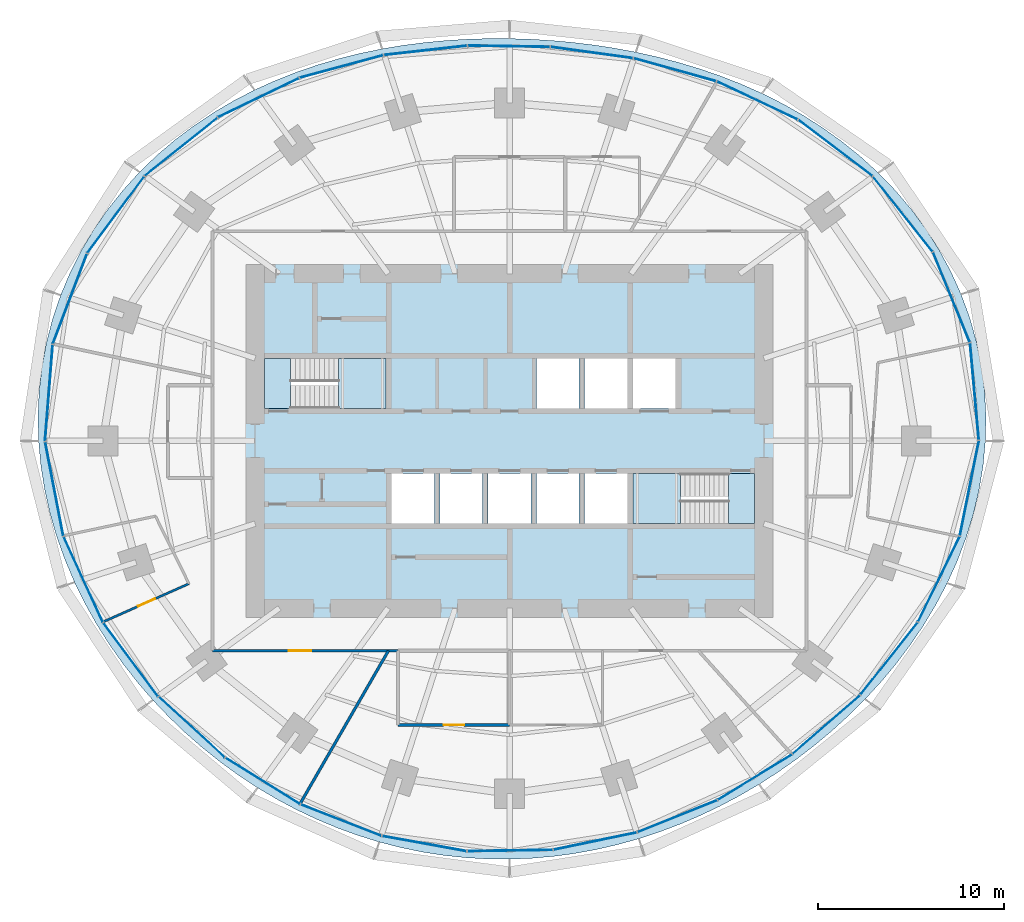
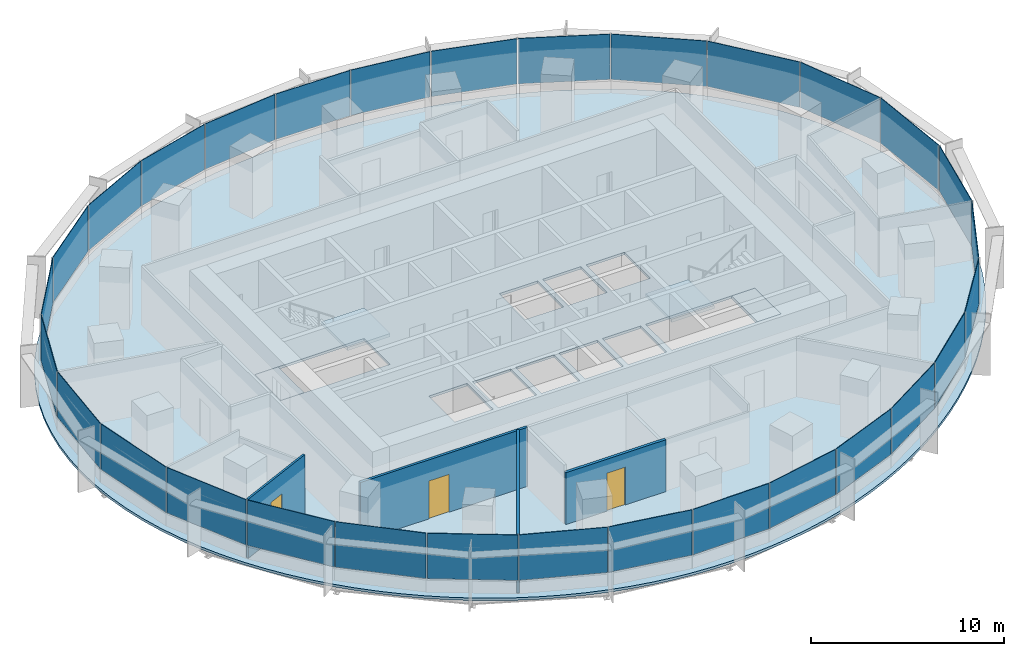
# One storey, part 9 of 14: 30 plates, 5 slabs, 4 walls, 3 doors, 3 openings, 8 elements without a shape of their own.
"""IFC4 building model written with IfcOpenShell, lengths in metres."""

from ifc_helpers import new_model, si_unit, direction, frame, frame_2d, origin, origin_2d, place, context, subcontext, project, spatial, polyline, rectangle, outline, extrude, material, layer, layer_set, type_object, element, fill, aggregate, save


model = new_model("IFC4")

# Units and contexts
model_context = context("Model", 3, precision=1e-05, world=origin(), true_north=direction((0.0, 1.0)))
body_context = subcontext(model_context, "Body", "Model", "MODEL_VIEW")
ifc_project = project(units=[si_unit("LENGTHUNIT", "METRE"), si_unit("AREAUNIT", "SQUARE_METRE"), si_unit("VOLUMEUNIT", "CUBIC_METRE"), si_unit("PLANEANGLEUNIT", "RADIAN"), si_unit("MASSUNIT", "GRAM", prefix="KILO")], contexts=[model_context])

# Site, building, storey
site_placement = place(None, origin())
site = spatial("IfcSite", under=ifc_project, at=site_placement, CompositionType="ELEMENT")
building_placement = place(site_placement, origin())
building = spatial("IfcBuilding", under=site, at=building_placement, Name="Marramba Exchange Tower", CompositionType="ELEMENT")
storey_placement = place(building_placement, frame((0.0, 0.0, 115.800048828125)))
storey = spatial("IfcBuildingStorey", under=building, at=storey_placement, Name="L27", CompositionType="ELEMENT", Elevation=115.800048828125)

# Slab
ifc_material_1 = material(Name="Concrete N40", Category="concrete")
ifc_layer_1 = layer(ifc_material_1, 0.159912109375)
ifc_layer_set_1 = layer_set([ifc_layer_1], Name="Composite floor slab 160")
slab_type_1 = type_object("IfcSlabType", Name="Composite floor slab 160", PredefinedType="FLOOR", material=ifc_layer_set_1)
slab_1_placement = place(storey_placement, frame((0.0, 0.0, -0.16015625)))
element("IfcSlab", 1, at=slab_1_placement, inside=storey, type_object=slab_type_1, Name="Floor slab L27", PredefinedType="FLOOR", context=body_context, shape_type="SweptSolid", body=[
    extrude(outline(polyline([(25.632080078125, 0.0), (25.66064453125, 1.3447265625), (25.59033203125, 2.689697265625), (25.420166015625, 4.026123046875), (25.15087890625, 5.345947265625), (24.7841796875, 6.640869140625), (24.322998046875, 7.903076171875), (23.771484375, 9.125), (23.135009765625, 10.30029296875), (22.419677734375, 11.42333984375), (21.632080078125, 12.4892578125), (20.779541015625, 13.494384765625), (19.869384765625, 14.43603515625), (18.9091796875, 15.3125), (17.90625, 16.122802734375), (16.86767578125, 16.86767578125), (15.800048828125, 17.5478515625), (14.70947265625, 18.164794921875), (13.6015625, 18.720947265625), (12.48095703125, 19.218994140625), (11.3515625, 19.66162109375), (10.217041015625, 20.05224609375), (9.079833984375, 20.393798828125), (7.94189453125, 20.689453125), (6.804443359375, 20.942138671875), (5.668212890625, 21.154296875), (4.533447265625, 21.328369140625), (3.39990234375, 21.46630859375), (2.26708984375, 21.5693359375), (1.134033203125, 21.63818359375), (0.0, 21.673095703125), (-1.135986328125, 21.673828125), (-2.2744140625, 21.6396484375), (-3.416259765625, 21.5693359375), (-4.5615234375, 21.460693359375), (-5.71044921875, 21.31201171875), (-6.8623046875, 21.1201171875), (-8.01611328125, 20.8828125), (-9.170166015625, 20.5966796875), (-10.322509765625, 20.2587890625), (-11.4697265625, 19.8662109375), (-12.60888671875, 19.415771484375), (-13.7353515625, 18.905029296875), (-14.8447265625, 18.331787109375), (-15.931640625, 17.69384765625), (-16.989990234375, 16.989990234375), (-18.013916015625, 16.2197265625), (-18.996826171875, 15.38330078125), (-19.931884765625, 14.4814453125), (-20.8125, 13.515869140625), (-21.632080078125, 12.4892578125), (-22.384033203125, 11.4052734375), (-23.0625, 10.26806640625), (-23.661865234375, 9.0830078125), (-24.177734375, 7.855712890625), (-24.605712890625, 6.593017578125), (-24.943603515625, 5.302001953125), (-25.18896484375, 3.989501953125), (-25.341064453125, 2.663330078125), (-25.400390625, 1.3310546875), (-25.367919921875, 0.0), (-25.246337890625, -1.322998046875), (-25.038818359375, -2.631591796875), (-24.748779296875, -3.919921875), (-24.381103515625, -5.182373046875), (-23.940185546875, -6.414794921875), (-23.431396484375, -7.61328125), (-22.859130859375, -8.77490234375), (-22.22900390625, -9.89697265625), (-21.545166015625, -10.977783203125), (-20.81201171875, -12.015869140625), (-20.033935546875, -13.010009765625), (-19.2138671875, -13.959716796875), (-18.35546875, -14.86376953125), (-17.461181640625, -15.72216796875), (-16.53369140625, -16.53369140625), (-15.5751953125, -17.298095703125), (-14.587646484375, -18.014404296875), (-13.5732421875, -18.681884765625), (-12.533203125, -19.299560546875), (-11.4697265625, -19.8662109375), (-10.384765625, -20.381103515625), (-9.27978515625, -20.8427734375), (-8.157470703125, -21.250732421875), (-7.019287109375, -21.603271484375), (-5.8681640625, -21.900146484375), (-4.7060546875, -22.14013671875), (-3.53564453125, -22.322998046875), (-2.359375, -22.448486328125), (-1.179931640625, -22.516357421875), (0.0, -22.52685546875), (1.17822265625, -22.480712890625), (2.35205078125, -22.3779296875), (3.519287109375, -22.22021484375), (4.677978515625, -22.0078125), (5.825927734375, -21.742431640625), (6.96142578125, -21.425048828125), (8.0830078125, -21.05712890625), (9.189453125, -20.639892578125), (10.279296875, -20.17431640625), (11.3515625, -19.66162109375), (12.4052734375, -19.1025390625), (13.439453125, -18.497802734375), (14.45263671875, -17.847412109375), (15.44384765625, -17.152099609375), (16.411376953125, -16.411376953125), (17.353515625, -15.625244140625), (18.267822265625, -14.79296875), (19.1513671875, -13.914306640625), (20.000732421875, -12.98876953125), (20.81201171875, -12.015869140625), (21.580810546875, -10.995849609375), (22.301513671875, -9.92919921875), (22.96875, -8.81689453125), (23.57666015625, -7.660400390625), (24.11865234375, -6.462646484375), (24.588623046875, -5.2265625), (24.980224609375, -3.95654296875), (25.2880859375, -2.657958984375), (25.5068359375, -1.336669921875), (25.632080078125, 0.0)]), holes=[polyline([(1.449951171875, 1.75), (3.75, 1.75), (3.75, 4.449951171875), (1.449951171875, 4.449951171875), (1.449951171875, 1.75)]), polyline([(4.050048828125, 1.75), (6.35009765625, 1.75), (6.35009765625, 4.449951171875), (4.050048828125, 4.449951171875), (4.050048828125, 1.75)]), polyline([(-6.35009765625, -4.449951171875), (-4.050048828125, -4.449951171875), (-4.050048828125, -1.75), (-6.35009765625, -1.75), (-6.35009765625, -4.449951171875)]), polyline([(-3.75, -4.449951171875), (-1.449951171875, -4.449951171875), (-1.449951171875, -1.75), (-3.75, -1.75), (-3.75, -4.449951171875)]), polyline([(-1.14990234375, -4.449951171875), (1.14990234375, -4.449951171875), (1.14990234375, -1.75), (-1.14990234375, -1.75), (-1.14990234375, -4.449951171875)]), polyline([(1.449951171875, -4.449951171875), (3.75, -4.449951171875), (3.75, -1.75), (1.449951171875, -1.75), (1.449951171875, -4.449951171875)]), polyline([(4.050048828125, -4.449951171875), (6.35009765625, -4.449951171875), (6.35009765625, -1.75), (4.050048828125, -1.75), (4.050048828125, -4.449951171875)]), polyline([(6.64990234375, 1.75), (8.949951171875, 1.75), (8.949951171875, 4.449951171875), (6.64990234375, 4.449951171875), (6.64990234375, 1.75)]), polyline([(-13.199951171875, 1.75), (-6.64990234375, 1.75), (-6.64990234375, 4.449951171875), (-13.199951171875, 4.449951171875), (-13.199951171875, 1.75)]), polyline([(6.64990234375, -4.449951171875), (13.199951171875, -4.449951171875), (13.199951171875, -1.75), (6.64990234375, -1.75), (6.64990234375, -4.449951171875)])]), origin(), (0.0, 0.0, 1.0), 0.16015625),
])

# Curtain wall, plates
ifc_material_2 = material(Name="Aluminium framing, bronze anodised", Category="aluminium")
curtain_wall_type = type_object("IfcCurtainWallType", Name="Office ribbon curtain wall", PredefinedType="USERDEFINED", material=ifc_material_2)
curtain_wall_1_placement = place(storey_placement, origin())
curtain_wall_1 = element("IfcCurtainWall", 2, at=curtain_wall_1_placement, inside=storey, type_object=curtain_wall_type, Name="Curtain wall CW4 L27 F01-F05", ObjectType="RIBBON CURTAIN WALL", PredefinedType="USERDEFINED")
ifc_material_3 = material(Name="Laminated double glazed unit 10.76 + 16 + 10.76, bronze tinted", Category="glass")
ifc_layer_2 = layer(ifc_material_3, 0.03759765625)
ifc_layer_set_2 = layer_set([ifc_layer_2], Name="Office ribbon curtain wall panel")
plate_type = type_object("IfcPlateType", Name="Office ribbon curtain wall panel", PredefinedType="CURTAIN_PANEL", material=ifc_layer_set_2)
plate_1_placement = place(storey_placement, frame((25.042724609375, 2.66650390625, 0.860107421875), z_axis=(0.0, 0.0, 1.0), x_axis=(-0.089412887889, 0.995994646311, 0.0)))
plate_1 = element("IfcPlate", 3, at=plate_1_placement, type_object=plate_type, Name="CW4 vision panel", PredefinedType="CURTAIN_PANEL", context=body_context, shape_type="SweptSolid", body=[
    extrude(rectangle(XDim=5.234375, YDim=0.03759765625, at=origin_2d()), origin(), (0.0, 0.0, 1.0), 2.8798828125),
])
plate_2_placement = place(storey_placement, frame((23.800537109375, 7.743408203125, 0.860107421875), z_axis=(0.0, 0.0, 1.0), x_axis=(-0.377821183171, 0.925878584668, 0.0)))
plate_2 = element("IfcPlate", 4, at=plate_2_placement, type_object=plate_type, Name="CW4 vision panel", PredefinedType="CURTAIN_PANEL", context=body_context, shape_type="SweptSolid", body=[
    extrude(rectangle(XDim=5.2158203125, YDim=0.03759765625, at=origin_2d()), origin(), (0.0, 0.0, 1.0), 2.8798828125),
])
plate_3_placement = place(storey_placement, frame((21.18212890625, 12.217529296875, 0.860107421875), z_axis=(0.0, 0.0, 1.0), x_axis=(-0.621312004611, 0.783563266703, 0.0)))
plate_3 = element("IfcPlate", 5, at=plate_3_placement, type_object=plate_type, Name="CW4 vision panel", PredefinedType="CURTAIN_PANEL", context=body_context, shape_type="SweptSolid", body=[
    extrude(rectangle(XDim=5.136962890625, YDim=0.03759765625, at=origin_2d()), origin(), (0.0, 0.0, 1.0), 2.8798828125),
])
plate_4_placement = place(storey_placement, frame((17.55224609375, 15.777099609375, 0.860107421875), z_axis=(0.0, 0.0, 1.0), x_axis=(-0.795971748366, 0.60533377223, 0.0)))
plate_4 = element("IfcPlate", 6, at=plate_4_placement, type_object=plate_type, Name="CW4 vision panel", PredefinedType="CURTAIN_PANEL", context=body_context, shape_type="SweptSolid", body=[
    extrude(rectangle(XDim=4.990966796875, YDim=0.03759765625, at=origin_2d()), origin(), (0.0, 0.0, 1.0), 2.8798828125),
])
plate_5_placement = place(storey_placement, frame((13.34423828125, 18.3359375, 0.860107421875), z_axis=(0.0, 0.0, 1.0), x_axis=(-0.904403137485, 0.426678995157, 0.0)))
plate_5 = element("IfcPlate", 7, at=plate_5_placement, type_object=plate_type, Name="CW4 vision panel", PredefinedType="CURTAIN_PANEL", context=body_context, shape_type="SweptSolid", body=[
    extrude(rectangle(XDim=4.793212890625, YDim=0.03759765625, at=origin_2d()), origin(), (0.0, 0.0, 1.0), 2.8798828125),
])
aggregate(curtain_wall_1, [plate_1, plate_2, plate_3, plate_4, plate_5])

curtain_wall_2_placement = place(storey_placement, origin())
curtain_wall_2 = element("IfcCurtainWall", 8, at=curtain_wall_2_placement, inside=storey, type_object=curtain_wall_type, Name="Curtain wall CW4 L27 F06-F10", ObjectType="RIBBON CURTAIN WALL", PredefinedType="USERDEFINED")
plate_6_placement = place(storey_placement, frame((8.907470703125, 19.991943359375, 0.860107421875), z_axis=(0.0, 0.0, 1.0), x_axis=(-0.963177845956, 0.268865090816, 0.0)))
plate_6 = element("IfcPlate", 9, at=plate_6_placement, type_object=plate_type, Name="CW4 vision panel", PredefinedType="CURTAIN_PANEL", context=body_context, shape_type="SweptSolid", body=[
    extrude(rectangle(XDim=4.591552734375, YDim=0.03759765625, at=origin_2d()), origin(), (0.0, 0.0, 1.0), 2.8798828125),
])
plate_7_placement = place(storey_placement, frame((4.43359375, 20.919189453125, 0.860107421875), z_axis=(0.0, 0.0, 1.0), x_axis=(-0.990738212841, 0.135785837319, 0.0)))
plate_7 = element("IfcPlate", 10, at=plate_7_placement, type_object=plate_type, Name="CW4 vision panel", PredefinedType="CURTAIN_PANEL", context=body_context, shape_type="SweptSolid", body=[
    extrude(rectangle(XDim=4.447509765625, YDim=0.03759765625, at=origin_2d()), origin(), (0.0, 0.0, 1.0), 2.8798828125),
])
plate_8_placement = place(storey_placement, frame((-0.03369140625, 21.2568359375, 0.860107421875), z_axis=(0.0, 0.0, 1.0), x_axis=(-0.999875869968, 0.01575578169, 0.0)))
plate_8 = element("IfcPlate", 11, at=plate_8_placement, type_object=plate_type, Name="CW4 vision panel", PredefinedType="CURTAIN_PANEL", context=body_context, shape_type="SweptSolid", body=[
    extrude(rectangle(XDim=4.408935546875, YDim=0.03759765625, at=origin_2d()), origin(), (0.0, 0.0, 1.0), 2.8798828125),
])
plate_9_placement = place(storey_placement, frame((-4.52587890625, 21.0361328125, 0.860107421875), z_axis=(0.0, 0.0, 1.0), x_axis=(-0.993823395532, -0.110973233233, 0.0)))
plate_9 = element("IfcPlate", 12, at=plate_9_placement, type_object=plate_type, Name="CW4 vision panel", PredefinedType="CURTAIN_PANEL", context=body_context, shape_type="SweptSolid", body=[
    extrude(rectangle(XDim=4.484375, YDim=0.03759765625, at=origin_2d()), origin(), (0.0, 0.0, 1.0), 2.8798828125),
])
plate_10_placement = place(storey_placement, frame((-9.053466796875, 20.16748046875, 0.860107421875), z_axis=(0.0, 0.0, 1.0), x_axis=(-0.965522047176, -0.260321294588, 0.0)))
plate_10 = element("IfcPlate", 13, at=plate_10_placement, type_object=plate_type, Name="CW4 vision panel", PredefinedType="CURTAIN_PANEL", context=body_context, shape_type="SweptSolid", body=[
    extrude(rectangle(XDim=4.642578125, YDim=0.03759765625, at=origin_2d()), origin(), (0.0, 0.0, 1.0), 2.8798828125),
])
aggregate(curtain_wall_2, [plate_6, plate_7, plate_8, plate_9, plate_10])

curtain_wall_3_placement = place(storey_placement, origin())
curtain_wall_3 = element("IfcCurtainWall", 14, at=curtain_wall_3_placement, inside=storey, type_object=curtain_wall_type, Name="Curtain wall CW4 L27 F11-F15", ObjectType="RIBBON CURTAIN WALL", PredefinedType="USERDEFINED")
plate_11_placement = place(storey_placement, frame((-13.52294921875, 18.4853515625, 0.860107421875), z_axis=(0.0, 0.0, 1.0), x_axis=(-0.900223739881, -0.435427626771, 0.0)))
plate_11 = element("IfcPlate", 15, at=plate_11_placement, type_object=plate_type, Name="CW4 vision panel", PredefinedType="CURTAIN_PANEL", context=body_context, shape_type="SweptSolid", body=[
    extrude(rectangle(XDim=4.83056640625, YDim=0.03759765625, at=origin_2d()), origin(), (0.0, 0.0, 1.0), 2.8798828125),
])
plate_12_placement = place(storey_placement, frame((-17.696533203125, 15.8359375, 0.860107421875), z_axis=(0.0, 0.0, 1.0), x_axis=(-0.78117833008, -0.624307950145, 0.0)))
plate_12 = element("IfcPlate", 16, at=plate_12_placement, type_object=plate_type, Name="CW4 vision panel", PredefinedType="CURTAIN_PANEL", context=body_context, shape_type="SweptSolid", body=[
    extrude(rectangle(XDim=4.998291015625, YDim=0.03759765625, at=origin_2d()), origin(), (0.0, 0.0, 1.0), 2.8798828125),
])
plate_13_placement = place(storey_placement, frame((-21.213623046875, 12.1767578125, 0.860107421875), z_axis=(0.0, 0.0, 1.0), x_axis=(-0.597703997504, -0.80171686484, 0.0)))
plate_13 = element("IfcPlate", 17, at=plate_13_placement, type_object=plate_type, Name="CW4 vision panel", PredefinedType="CURTAIN_PANEL", context=body_context, shape_type="SweptSolid", body=[
    extrude(rectangle(XDim=5.116455078125, YDim=0.03759765625, at=origin_2d()), origin(), (0.0, 0.0, 1.0), 2.8798828125),
])
plate_14_placement = place(storey_placement, frame((-23.6826171875, 7.6494140625, 0.860107421875), z_axis=(0.0, 0.0, 1.0), x_axis=(-0.354844468484, -0.934925346317, 0.0)))
plate_14 = element("IfcPlate", 18, at=plate_14_placement, type_object=plate_type, Name="CW4 vision panel", PredefinedType="CURTAIN_PANEL", context=body_context, shape_type="SweptSolid", body=[
    extrude(rectangle(XDim=5.177490234375, YDim=0.03759765625, at=origin_2d()), origin(), (0.0, 0.0, 1.0), 2.8798828125),
])
plate_15_placement = place(storey_placement, frame((-24.81201171875, 2.584716796875, 0.860107421875), z_axis=(0.0, 0.0, 1.0), x_axis=(-0.079459696383, -0.996838079455, 0.0)))
plate_15 = element("IfcPlate", 19, at=plate_15_placement, type_object=plate_type, Name="CW4 vision panel", PredefinedType="CURTAIN_PANEL", context=body_context, shape_type="SweptSolid", body=[
    extrude(rectangle(XDim=5.185791015625, YDim=0.03759765625, at=origin_2d()), origin(), (0.0, 0.0, 1.0), 2.8798828125),
])
aggregate(curtain_wall_3, [plate_11, plate_12, plate_13, plate_14, plate_15])

curtain_wall_4_placement = place(storey_placement, origin())
curtain_wall_4 = element("IfcCurtainWall", 20, at=curtain_wall_4_placement, inside=storey, type_object=curtain_wall_type, Name="Curtain wall CW4 L27 F16-F20", ObjectType="RIBBON CURTAIN WALL", PredefinedType="USERDEFINED")
plate_16_placement = place(storey_placement, frame((-24.522705078125, -2.584228515625, 0.860107421875), z_axis=(0.0, 0.0, 1.0), x_axis=(0.18822721487, -0.982125509078, 0.0)))
plate_16 = element("IfcPlate", 21, at=plate_16_placement, type_object=plate_type, Name="CW4 vision panel", PredefinedType="CURTAIN_PANEL", context=body_context, shape_type="SweptSolid", body=[
    extrude(rectangle(XDim=5.142578125, YDim=0.03759765625, at=origin_2d()), origin(), (0.0, 0.0, 1.0), 2.8798828125),
])
plate_17_placement = place(storey_placement, frame((-22.96142578125, -7.45947265625, 0.860107421875), z_axis=(0.0, 0.0, 1.0), x_axis=(0.416737848929, -0.909026713177, 0.0)))
plate_17 = element("IfcPlate", 22, at=plate_17_placement, type_object=plate_type, Name="CW4 vision panel", PredefinedType="CURTAIN_PANEL", context=body_context, shape_type="SweptSolid", body=[
    extrude(rectangle(XDim=5.0498046875, YDim=0.03759765625, at=origin_2d()), origin(), (0.0, 0.0, 1.0), 2.8798828125),
])
plate_18_placement = place(storey_placement, frame((-20.402099609375, -11.7783203125, 0.860107421875), z_axis=(0.0, 0.0, 1.0), x_axis=(0.597304697033, -0.802014400683, 0.0)))
plate_18 = element("IfcPlate", 23, at=plate_18_placement, type_object=plate_type, Name="CW4 vision panel", PredefinedType="CURTAIN_PANEL", context=body_context, shape_type="SweptSolid", body=[
    extrude(rectangle(XDim=4.926513671875, YDim=0.03759765625, at=origin_2d()), origin(), (0.0, 0.0, 1.0), 2.8798828125),
])
plate_19_placement = place(storey_placement, frame((-17.11376953125, -15.416259765625, 0.860107421875), z_axis=(0.0, 0.0, 1.0), x_axis=(0.737821886077, -0.674995455115, 0.0)))
plate_19 = element("IfcPlate", 24, at=plate_19_placement, type_object=plate_type, Name="CW4 vision panel", PredefinedType="CURTAIN_PANEL", context=body_context, shape_type="SweptSolid", body=[
    extrude(rectangle(XDim=4.80517578125, YDim=0.03759765625, at=origin_2d()), origin(), (0.0, 0.0, 1.0), 2.8798828125),
])
plate_20_placement = place(storey_placement, frame((-13.29248046875, -18.31640625, 0.860107421875), z_axis=(0.0, 0.0, 1.0), x_axis=(0.84835459748, -0.52942844364, 0.0)))
plate_20 = element("IfcPlate", 25, at=plate_20_placement, type_object=plate_type, Name="CW4 vision panel", PredefinedType="CURTAIN_PANEL", context=body_context, shape_type="SweptSolid", body=[
    extrude(rectangle(XDim=4.70947265625, YDim=0.03759765625, at=origin_2d()), origin(), (0.0, 0.0, 1.0), 2.8798828125),
])
aggregate(curtain_wall_4, [plate_16, plate_17, plate_18, plate_19, plate_20])

curtain_wall_5_placement = place(storey_placement, origin())
curtain_wall_5 = element("IfcCurtainWall", 26, at=curtain_wall_5_placement, inside=storey, type_object=curtain_wall_type, Name="Curtain wall CW4 L27 F21-F25", ObjectType="RIBBON CURTAIN WALL", PredefinedType="USERDEFINED")
plate_21_placement = place(storey_placement, frame((-9.074951171875, -20.427734375, 0.860107421875), z_axis=(0.0, 0.0, 1.0), x_axis=(0.931818390344, -0.36292490603, 0.0)))
plate_21 = element("IfcPlate", 27, at=plate_21_placement, type_object=plate_type, Name="CW4 vision panel", PredefinedType="CURTAIN_PANEL", context=body_context, shape_type="SweptSolid", body=[
    extrude(rectangle(XDim=4.644287109375, YDim=0.03759765625, at=origin_2d()), origin(), (0.0, 0.0, 1.0), 2.8798828125),
])
plate_22_placement = place(storey_placement, frame((-4.58740234375, -21.690673828125, 0.860107421875), z_axis=(0.0, 0.0, 1.0), x_axis=(0.984031865834, -0.177992379115, 0.0)))
plate_22 = element("IfcPlate", 28, at=plate_22_placement, type_object=plate_type, Name="CW4 vision panel", PredefinedType="CURTAIN_PANEL", context=body_context, shape_type="SweptSolid", body=[
    extrude(rectangle(XDim=4.602783203125, YDim=0.03759765625, at=origin_2d()), origin(), (0.0, 0.0, 1.0), 2.8798828125),
])
plate_23_placement = place(storey_placement, frame((0.0263671875, -22.064697265625, 0.860107421875), z_axis=(0.0, 0.0, 1.0), x_axis=(0.999884797709, 0.015178646521, 0.0)))
plate_23 = element("IfcPlate", 29, at=plate_23_placement, type_object=plate_type, Name="CW4 vision panel", PredefinedType="CURTAIN_PANEL", context=body_context, shape_type="SweptSolid", body=[
    extrude(rectangle(XDim=4.578857421875, YDim=0.03759765625, at=origin_2d()), origin(), (0.0, 0.0, 1.0), 2.8798828125),
])
plate_24_placement = place(storey_placement, frame((4.61376953125, -21.554931640625, 0.860107421875), z_axis=(0.0, 0.0, 1.0), x_axis=(0.979310199794, 0.202364850159, 0.0)))
plate_24 = element("IfcPlate", 30, at=plate_24_placement, type_object=plate_type, Name="CW4 vision panel", PredefinedType="CURTAIN_PANEL", context=body_context, shape_type="SweptSolid", body=[
    extrude(rectangle(XDim=4.57373046875, YDim=0.03759765625, at=origin_2d()), origin(), (0.0, 0.0, 1.0), 2.8798828125),
])
plate_25_placement = place(storey_placement, frame((9.042724609375, -20.214111328125, 0.860107421875), z_axis=(0.0, 0.0, 1.0), x_axis=(0.928148916059, 0.372209067082, 0.0)))
plate_25 = element("IfcPlate", 31, at=plate_25_placement, type_object=plate_type, Name="CW4 vision panel", PredefinedType="CURTAIN_PANEL", context=body_context, shape_type="SweptSolid", body=[
    extrude(rectangle(XDim=4.59814453125, YDim=0.03759765625, at=origin_2d()), origin(), (0.0, 0.0, 1.0), 2.8798828125),
])
aggregate(curtain_wall_5, [plate_21, plate_22, plate_23, plate_24, plate_25])

curtain_wall_6_placement = place(storey_placement, origin())
curtain_wall_6 = element("IfcCurtainWall", 32, at=curtain_wall_6_placement, inside=storey, type_object=curtain_wall_type, Name="Curtain wall CW4 L27 F26-F30", ObjectType="RIBBON CURTAIN WALL", PredefinedType="USERDEFINED")
plate_26_placement = place(storey_placement, frame((13.21875, -18.109619140625, 0.860107421875), z_axis=(0.0, 0.0, 1.0), x_axis=(0.853109114492, 0.521732535664, 0.0)))
plate_26 = element("IfcPlate", 33, at=plate_26_placement, type_object=plate_type, Name="CW4 vision panel", PredefinedType="CURTAIN_PANEL", context=body_context, shape_type="SweptSolid", body=[
    extrude(rectangle(XDim=4.66748046875, YDim=0.03759765625, at=origin_2d()), origin(), (0.0, 0.0, 1.0), 2.8798828125),
])
plate_27_placement = place(storey_placement, frame((17.0615234375, -15.280517578125, 0.860107421875), z_axis=(0.0, 0.0, 1.0), x_axis=(0.754385506384, 0.656431647438, 0.0)))
plate_27 = element("IfcPlate", 34, at=plate_27_placement, type_object=plate_type, Name="CW4 vision panel", PredefinedType="CURTAIN_PANEL", context=body_context, shape_type="SweptSolid", body=[
    extrude(rectangle(XDim=4.789794921875, YDim=0.03759765625, at=origin_2d()), origin(), (0.0, 0.0, 1.0), 2.8798828125),
])
plate_28_placement = place(storey_placement, frame((20.443603515625, -11.724365234375, 0.860107421875), z_axis=(0.0, 0.0, 1.0), x_axis=(0.621807472329, 0.783170139469, 0.0)))
plate_28 = element("IfcPlate", 35, at=plate_28_placement, type_object=plate_type, Name="CW4 vision panel", PredefinedType="CURTAIN_PANEL", context=body_context, shape_type="SweptSolid", body=[
    extrude(rectangle(XDim=4.947265625, YDim=0.03759765625, at=origin_2d()), origin(), (0.0, 0.0, 1.0), 2.8798828125),
])
plate_29_placement = place(storey_placement, frame((23.127197265625, -7.443359375, 0.860107421875), z_axis=(0.0, 0.0, 1.0), x_axis=(0.439086342308, 0.89844486976, 0.0)))
plate_29 = element("IfcPlate", 36, at=plate_29_placement, type_object=plate_type, Name="CW4 vision panel", PredefinedType="CURTAIN_PANEL", context=body_context, shape_type="SweptSolid", body=[
    extrude(rectangle(XDim=5.096923828125, YDim=0.03759765625, at=origin_2d()), origin(), (0.0, 0.0, 1.0), 2.8798828125),
])
plate_30_placement = place(storey_placement, frame((24.77001953125, -2.54736328125, 0.860107421875), z_axis=(0.0, 0.0, 1.0), x_axis=(0.197048511267, 0.980393739376, 0.0)))
plate_30 = element("IfcPlate", 37, at=plate_30_placement, type_object=plate_type, Name="CW4 vision panel", PredefinedType="CURTAIN_PANEL", context=body_context, shape_type="SweptSolid", body=[
    extrude(rectangle(XDim=5.19677734375, YDim=0.03759765625, at=origin_2d()), origin(), (0.0, 0.0, 1.0), 2.8798828125),
])
aggregate(curtain_wall_6, [plate_26, plate_27, plate_28, plate_29, plate_30])

# Stair, slabs
ifc_material_4 = material(Name="Concrete N40 (40 MPa)", Category="concrete")
stair_type_1 = type_object("IfcStairType", Name="Exit stair ST1 3900 x 1250", PredefinedType="HALF_TURN_STAIR", material=ifc_material_4)
stair_1_placement = place(storey_placement, origin())
stair_1 = element("IfcStair", 38, at=stair_1_placement, inside=storey, type_object=stair_type_1, Name="Exit stair ST1 L27", PredefinedType="HALF_TURN_STAIR")
ifc_layer_3 = layer(ifc_material_4, 0.199951171875)
ifc_layer_set_3 = layer_set([ifc_layer_3], Name="Stair landing 200")
slab_type_2 = type_object("IfcSlabType", Name="Stair landing 200", PredefinedType="LANDING", material=ifc_layer_set_3)
slab_2_placement = place(storey_placement, frame((0.0, 0.0, -0.199951171875)))
slab_2 = element("IfcSlab", 39, at=slab_2_placement, type_object=slab_type_2, Name="ST1 landing 1", PredefinedType="LANDING", context=body_context, shape_type="SweptSolid", body=[
    extrude(outline(polyline([(-13.199951171875, 1.75), (-11.800048828125, 1.75), (-11.800048828125, 4.449951171875), (-13.199951171875, 4.449951171875), (-13.199951171875, 1.75)])), origin(), (0.0, 0.0, 1.0), 0.199951171875),
])
slab_3_placement = place(storey_placement, frame((0.0, 0.0, 1.75)))
slab_3 = element("IfcSlab", 40, at=slab_3_placement, type_object=slab_type_2, Name="ST1 landing 2", PredefinedType="LANDING", context=body_context, shape_type="SweptSolid", body=[
    extrude(outline(polyline([(-9.199951171875, 1.75), (-6.64990234375, 1.75), (-6.64990234375, 4.449951171875), (-9.199951171875, 4.449951171875), (-9.199951171875, 1.75)])), origin(), (0.0, 0.0, 1.0), 0.199951171875),
])
aggregate(stair_1, [slab_2, slab_3])

stair_type_2 = type_object("IfcStairType", Name="Exit stair ST2 3900 x 1250", PredefinedType="HALF_TURN_STAIR", material=ifc_material_4)
stair_2_placement = place(storey_placement, origin())
stair_2 = element("IfcStair", 41, at=stair_2_placement, inside=storey, type_object=stair_type_2, Name="Exit stair ST2 L27", PredefinedType="HALF_TURN_STAIR")
slab_4_placement = place(storey_placement, frame((0.0, 0.0, -0.199951171875)))
slab_4 = element("IfcSlab", 42, at=slab_4_placement, type_object=slab_type_2, Name="ST2 landing 1", PredefinedType="LANDING", context=body_context, shape_type="SweptSolid", body=[
    extrude(outline(polyline([(11.800048828125, -4.449951171875), (13.199951171875, -4.449951171875), (13.199951171875, -1.75), (11.800048828125, -1.75), (11.800048828125, -4.449951171875)])), origin(), (0.0, 0.0, 1.0), 0.199951171875),
])
slab_5_placement = place(storey_placement, frame((0.0, 0.0, 1.75)))
slab_5 = element("IfcSlab", 43, at=slab_5_placement, type_object=slab_type_2, Name="ST2 landing 2", PredefinedType="LANDING", context=body_context, shape_type="SweptSolid", body=[
    extrude(outline(polyline([(6.64990234375, -4.449951171875), (9.199951171875, -4.449951171875), (9.199951171875, -1.75), (6.64990234375, -1.75), (6.64990234375, -4.449951171875)])), origin(), (0.0, 0.0, 1.0), 0.199951171875),
])
aggregate(stair_2, [slab_4, slab_5])

# Wall, opening, door
ifc_material_5 = material(Name="Plasterboard on staggered double steel studs, acoustic insulation", Category="steel")
ifc_layer_4 = layer(ifc_material_5, 0.169921875)
ifc_layer_set_4 = layer_set([ifc_layer_4], Name="Acoustic partition 170")
wall_type_1 = type_object("IfcWallType", Name="Acoustic partition 170", PredefinedType="PARTITIONING", material=ifc_layer_set_4)
wall_1_placement = place(storey_placement, frame((-6.0, -15.300048828125, 0.0), z_axis=(0.0, 0.0, 1.0), x_axis=(1.0, 0.0, 0.0)))
wall_1 = element("IfcWall", 44, at=wall_1_placement, inside=storey, type_object=wall_type_1, Name="Acoustic partition L27 10", PredefinedType="PARTITIONING", context=body_context, shape_type="SweptSolid", body=[
    extrude(rectangle(XDim=6.0, YDim=0.169921875, at=frame_2d((3.0, 0.0))), origin(), (0.0, 0.0, 1.0), 3.285888671875),
])
opening_1_placement = place(wall_1_placement, frame((2.449951171875, 0.0, 0.0)))
opening_1 = element("IfcOpeningElement", 45, at=opening_1_placement, cuts=wall_1, Name="Opening D15", PredefinedType="OPENING", context=body_context, shape_type="SweptSolid", body=[
    extrude(rectangle(XDim=1.10009765625, YDim=2.39990234375, at=frame_2d((0.550048828125, 1.199951171875))), frame((0.0, 0.094970703125, 0.0), z_axis=(0.0, -1.0, 0.0), x_axis=(1.0, 0.0, 0.0)), (0.0, 0.0, 1.0), 0.18994140625),
])
ifc_material_6 = material(Name="Timber door", Category="wood")
door_type_1 = type_object("IfcDoorType", Name="Glazed meeting room door 1100x2400", OperationType="SINGLE_SWING_LEFT", PredefinedType="DOOR", material=ifc_material_6)
door_1_placement = place(opening_1_placement, origin())
door_1 = element("IfcDoor", 46, at=door_1_placement, inside=storey, type_object=door_type_1, Name="D15 Meeting Room 4 L27", OperationType="SINGLE_SWING_RIGHT", OverallHeight=2.39990234375, OverallWidth=1.10009765625, PredefinedType="DOOR", context=body_context, shape_type="SweptSolid", body=[
    extrude(rectangle(XDim=1.10009765625, YDim=2.39990234375, at=frame_2d((0.550048828125, 1.199951171875))), frame((0.0, 0.02490234375, 0.0), z_axis=(0.0, -1.0, 0.0), x_axis=(1.0, 0.0, 0.0)), (0.0, 0.0, 1.0), 0.050048828125),
])
fill(opening_1, door_1)

ifc_material_7 = material(Name="Plasterboard on steel studs", Category="steel")
ifc_layer_5 = layer(ifc_material_7, 0.1201171875)
ifc_layer_set_5 = layer_set([ifc_layer_5], Name="Partition 120")
wall_type_2 = type_object("IfcWallType", Name="Partition 120", PredefinedType="PARTITIONING", material=ifc_layer_set_5)
wall_2_placement = place(storey_placement, frame((-21.836181640625, -9.72216796875, 0.0), z_axis=(0.0, 0.0, 1.0), x_axis=(0.913549606868, 0.406727323635, 0.0)))
wall_2 = element("IfcWall", 47, at=wall_2_placement, inside=storey, type_object=wall_type_2, Name="Partition L27 05", PredefinedType="PARTITIONING", context=body_context, shape_type="SweptSolid", body=[
    extrude(rectangle(XDim=5.000244140625, YDim=0.1201171875, at=frame_2d((2.5, 0.0))), origin(), (0.0, 0.0, 1.0), 3.739990234375),
])
opening_2_placement = place(wall_2_placement, frame((2.0, 0.0, 0.0)))
opening_2 = element("IfcOpeningElement", 48, at=opening_2_placement, cuts=wall_2, Name="Opening D9", PredefinedType="OPENING", context=body_context, shape_type="SweptSolid", body=[
    extrude(rectangle(XDim=1.0, YDim=2.39990234375, at=frame_2d((0.5, 1.199951171875))), frame((0.0, 0.070068359375, 0.0), z_axis=(0.0, -1.0, 0.0), x_axis=(1.0, 0.0, 0.0)), (0.0, 0.0, 1.0), 0.14013671875),
])
door_type_2 = type_object("IfcDoorType", Name="Room door 1000x2400", OperationType="SINGLE_SWING_LEFT", PredefinedType="DOOR", material=ifc_material_6)
door_2_placement = place(opening_2_placement, origin())
door_2 = element("IfcDoor", 49, at=door_2_placement, inside=storey, type_object=door_type_2, Name="D9 Office 2 L27", OperationType="SINGLE_SWING_RIGHT", OverallHeight=2.39990234375, OverallWidth=1.0, PredefinedType="DOOR", context=body_context, shape_type="SweptSolid", body=[
    extrude(rectangle(XDim=1.0, YDim=2.39990234375, at=frame_2d((0.5, 1.199951171875))), frame((0.0, 0.02490234375, 0.0), z_axis=(0.0, -1.0, 0.0), x_axis=(1.0, 0.0, 0.0)), (0.0, 0.0, 1.0), 0.050048828125),
])
fill(opening_2, door_2)

ifc_material_8 = material(Name="Fire-rated plasterboard on steel studs, acoustic insulation", Category="steel")
ifc_layer_6 = layer(ifc_material_8, 0.14990234375)
ifc_layer_set_6 = layer_set([ifc_layer_6], Name="Tenancy wall 150")
wall_type_3 = type_object("IfcWallType", Name="Tenancy wall 150", PredefinedType="PARTITIONING", material=ifc_layer_set_6)
wall_3_placement = place(storey_placement, frame((-16.0, -11.300048828125, 0.0), z_axis=(0.0, 0.0, 1.0), x_axis=(1.0, 0.0, 0.0)))
wall_3 = element("IfcWall", 50, at=wall_3_placement, inside=storey, type_object=wall_type_3, Name="Tenancy wall L27 06", PredefinedType="PARTITIONING", context=body_context, shape_type="SweptSolid", body=[
    extrude(rectangle(XDim=10.0, YDim=0.14990234375, at=frame_2d((5.0, 0.0))), origin(), (0.0, 0.0, 1.0), 3.739990234375),
])
opening_3_placement = place(wall_3_placement, frame((4.113037109375, 0.0, 0.0)))
opening_3 = element("IfcOpeningElement", 51, at=opening_3_placement, cuts=wall_3, Name="Opening D13", PredefinedType="OPENING", context=body_context, shape_type="SweptSolid", body=[
    extrude(rectangle(XDim=1.199951171875, YDim=2.39990234375, at=frame_2d((0.60009765625, 1.199951171875))), frame((0.0, 0.0849609375, 0.0), z_axis=(0.0, -1.0, 0.0), x_axis=(1.0, 0.0, 0.0)), (0.0, 0.0, 1.0), 0.169921875),
])
ifc_material_9 = material(Name="Steel-framed door", Category="steel")
door_type_3 = type_object("IfcDoorType", Name="Tenancy entry door 1200x2400", OperationType="SINGLE_SWING_LEFT", PredefinedType="DOOR", material=ifc_material_9)
door_3_placement = place(opening_3_placement, origin())
door_3 = element("IfcDoor", 52, at=door_3_placement, inside=storey, type_object=door_type_3, Name="D13 Office 3 L27", OperationType="SINGLE_SWING_LEFT", OverallHeight=2.39990234375, OverallWidth=1.199951171875, PredefinedType="DOOR", context=body_context, shape_type="SweptSolid", body=[
    extrude(rectangle(XDim=1.199951171875, YDim=2.39990234375, at=frame_2d((0.60009765625, 1.199951171875))), frame((0.0, 0.02490234375, 0.0), z_axis=(0.0, -1.0, 0.0), x_axis=(1.0, 0.0, 0.0)), (0.0, 0.0, 1.0), 0.050048828125),
])
fill(opening_3, door_3)

# Wall
wall_4_placement = place(storey_placement, frame((-6.524169921875, -11.300048828125, 0.0), z_axis=(0.0, 0.0, 1.0), x_axis=(-0.499999424553, -0.866025736019, 0.0)))
element("IfcWall", 53, at=wall_4_placement, inside=storey, type_object=wall_type_3, Name="Tenancy wall L27 07", PredefinedType="PARTITIONING", context=body_context, shape_type="SweptSolid", body=[
    extrude(rectangle(XDim=9.46142578125, YDim=0.14990234375, at=frame_2d((4.730712890625, 0.0))), origin(), (0.0, 0.0, 1.0), 3.739990234375),
])

save(model, "model.ifc")
